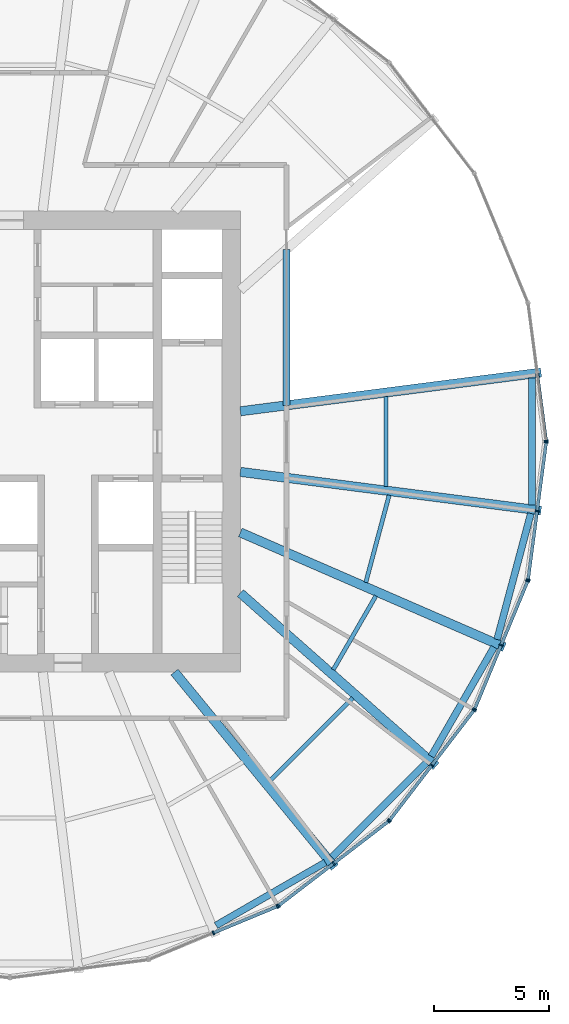
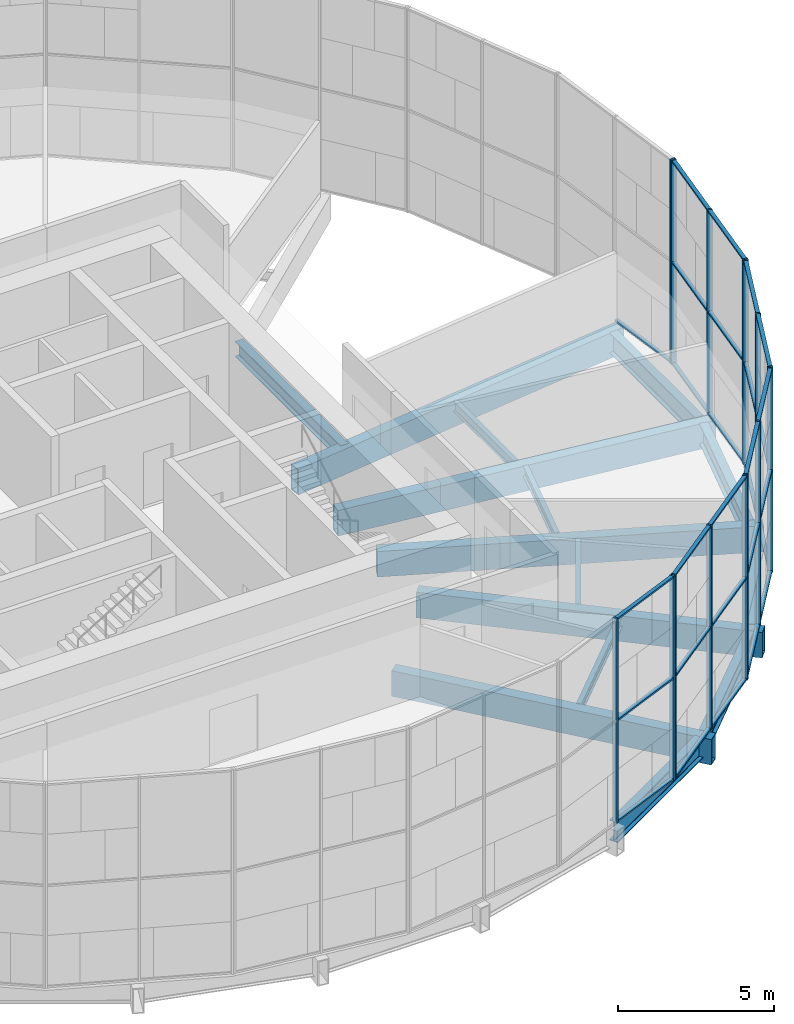
# One storey, part 4 of 18: 43 members, 15 beams, 6 elements without a shape of their own.
"""IFC4 building model written with IfcOpenShell, lengths in metres."""

from ifc_helpers import new_model, si_unit, direction, frame, origin, origin_2d, place, context, subcontext, project, spatial, rectangle, hollow_rectangle, i_section, extrude, material, material_profile, profile_set, type_object, element, aggregate, save


model = new_model("IFC4")

# Units and contexts
model_context = context("Model", 3, precision=1e-05, world=origin(), true_north=direction((0.0, 1.0)))
body_context = subcontext(model_context, "Body", "Model", "MODEL_VIEW")
ifc_project = project(units=[si_unit("LENGTHUNIT", "METRE"), si_unit("AREAUNIT", "SQUARE_METRE"), si_unit("VOLUMEUNIT", "CUBIC_METRE"), si_unit("PLANEANGLEUNIT", "RADIAN"), si_unit("MASSUNIT", "GRAM", prefix="KILO")], contexts=[model_context])

# Site, building, storey
site_placement = place(None, origin())
site = spatial("IfcSite", under=ifc_project, at=site_placement, CompositionType="ELEMENT")
building_placement = place(site_placement, origin())
building = spatial("IfcBuilding", under=site, at=building_placement, Name="Golbaran Civic Tower", CompositionType="ELEMENT")
storey_placement = place(building_placement, frame((0.0, 0.0, 45.0)))
storey = spatial("IfcBuildingStorey", under=building, at=storey_placement, Name="L10", CompositionType="ELEMENT", Elevation=45.0)

# Beams
ifc_material_1 = material(Name="Steel S355", Category="steel")
ifc_material_profile_1 = material_profile(ifc_material_1, i_section(OverallWidth=0.300048828125, OverallDepth=0.800048828125, WebThickness=0.017578125, FlangeThickness=0.032958984375, FilletRadius=0.030029296875, at=origin_2d()), Name="HEB 800")
ifc_profile_set_1 = profile_set([ifc_material_profile_1], Name="Steel S355")
beam_type_1 = type_object("IfcBeamType", Name="EDGE BEAM HEB 800", PredefinedType="BEAM", material=ifc_profile_set_1)
beam_1_placement = place(storey_placement, frame((8.943603515625, -20.993896484375, -0.60009765625), z_axis=(0.866313230191, 0.499501138334, 0.0), x_axis=(-0.499501138334, 0.866313230191, 0.0)))
element("IfcBeam", 1, at=beam_1_placement, inside=storey, type_object=beam_type_1, Name="Edge beam 292.60 L10", PredefinedType="BEAM", context=body_context, shape_type="SweptSolid", body=[
    extrude(i_section(OverallWidth=0.300048828125, OverallDepth=0.800048828125, WebThickness=0.017578125, FlangeThickness=0.032958984375, FilletRadius=0.030029296875, at=origin_2d()), origin(), (0.0, 0.0, 1.0), 5.4755859375),
])
beam_2_placement = place(storey_placement, frame((13.97314453125, -18.03955078125, -0.60009765625), z_axis=(0.706495106586, 0.707717927122, 0.0), x_axis=(-0.707717927122, 0.706495106586, 0.0)))
element("IfcBeam", 2, at=beam_2_placement, inside=storey, type_object=beam_type_1, Name="Edge beam 307.40 L10", PredefinedType="BEAM", context=body_context, shape_type="SweptSolid", body=[
    extrude(i_section(OverallWidth=0.300048828125, OverallDepth=0.800048828125, WebThickness=0.017578125, FlangeThickness=0.032958984375, FilletRadius=0.030029296875, at=origin_2d()), origin(), (0.0, 0.0, 1.0), 5.7900390625),
])
beam_3_placement = place(storey_placement, frame((18.28271484375, -13.655029296875, -0.60009765625), z_axis=(0.498279627298, 0.86701638567, 0.0), x_axis=(-0.86701638567, 0.498279627298, 0.0)))
element("IfcBeam", 3, at=beam_3_placement, inside=storey, type_object=beam_type_1, Name="Edge beam 322.60 L10", PredefinedType="BEAM", context=body_context, shape_type="SweptSolid", body=[
    extrude(i_section(OverallWidth=0.300048828125, OverallDepth=0.800048828125, WebThickness=0.017578125, FlangeThickness=0.032958984375, FilletRadius=0.030029296875, at=origin_2d()), origin(), (0.0, 0.0, 1.0), 5.461669921875),
])
beam_4_placement = place(storey_placement, frame((21.141357421875, -8.586669921875, -0.60009765625), z_axis=(0.258508249079, 0.966009050246, 0.0), x_axis=(-0.966009050246, 0.258508249079, 0.0)))
element("IfcBeam", 4, at=beam_4_placement, inside=storey, type_object=beam_type_1, Name="Edge beam 337.40 L10", PredefinedType="BEAM", context=body_context, shape_type="SweptSolid", body=[
    extrude(i_section(OverallWidth=0.300048828125, OverallDepth=0.800048828125, WebThickness=0.017578125, FlangeThickness=0.032958984375, FilletRadius=0.030029296875, at=origin_2d()), origin(), (0.0, 0.0, 1.0), 5.659912109375),
])
beam_5_placement = place(storey_placement, frame((22.6513671875, -2.76220703125, -0.60009765625), z_axis=(0.0, 1.0, 0.0), x_axis=(-1.0, 0.0, 0.0)))
element("IfcBeam", 5, at=beam_5_placement, inside=storey, type_object=beam_type_1, Name="Edge beam 352.60 L10", PredefinedType="BEAM", context=body_context, shape_type="SweptSolid", body=[
    extrude(i_section(OverallWidth=0.300048828125, OverallDepth=0.800048828125, WebThickness=0.017578125, FlangeThickness=0.032958984375, FilletRadius=0.030029296875, at=origin_2d()), origin(), (0.0, 0.0, 1.0), 5.5244140625),
])
ifc_material_profile_2 = material_profile(ifc_material_1, i_section(OverallWidth=0.179931640625, OverallDepth=0.39990234375, WebThickness=0.008544921875, FlangeThickness=0.013427734375, FilletRadius=0.02099609375, at=origin_2d()), Name="IPE 400")
ifc_profile_set_2 = profile_set([ifc_material_profile_2], Name="Steel S355")
beam_type_2 = type_object("IfcBeamType", Name="FLOOR INFILL BEAM IPE 400", PredefinedType="BEAM", material=ifc_profile_set_2)
beam_6_placement = place(storey_placement, frame((11.264892578125, -14.739501953125, -0.39990234375), z_axis=(0.707130665491, 0.707082896075, 0.0), x_axis=(-0.707082896075, 0.707130665491, 0.0)))
element("IfcBeam", 6, at=beam_6_placement, inside=storey, type_object=beam_type_2, Name="Infill beam 315.00 L10", PredefinedType="BEAM", context=body_context, shape_type="SweptSolid", body=[
    extrude(i_section(OverallWidth=0.179931640625, OverallDepth=0.39990234375, WebThickness=0.008544921875, FlangeThickness=0.013427734375, FilletRadius=0.02099609375, at=origin_2d()), origin(), (0.0, 0.0, 1.0), 5.11083984375),
])
beam_7_placement = place(storey_placement, frame((14.03271484375, -9.89697265625, -0.39990234375), z_axis=(0.500015802937, 0.866016279763, 0.0), x_axis=(-0.866016279763, 0.500015802937, 0.0)))
element("IfcBeam", 7, at=beam_7_placement, inside=storey, type_object=beam_type_2, Name="Infill beam 330.00 L10", PredefinedType="BEAM", context=body_context, shape_type="SweptSolid", body=[
    extrude(i_section(OverallWidth=0.179931640625, OverallDepth=0.39990234375, WebThickness=0.008544921875, FlangeThickness=0.013427734375, FilletRadius=0.02099609375, at=origin_2d()), origin(), (0.0, 0.0, 1.0), 3.6982421875),
])
beam_8_placement = place(storey_placement, frame((15.442138671875, -6.11083984375, -0.39990234375), z_axis=(0.258837851836, 0.965920786844, 0.0), x_axis=(-0.965920786844, 0.258837851836, 0.0)))
element("IfcBeam", 8, at=beam_8_placement, inside=storey, type_object=beam_type_2, Name="Infill beam 345.00 L10", PredefinedType="BEAM", context=body_context, shape_type="SweptSolid", body=[
    extrude(i_section(OverallWidth=0.179931640625, OverallDepth=0.39990234375, WebThickness=0.008544921875, FlangeThickness=0.013427734375, FilletRadius=0.02099609375, at=origin_2d()), origin(), (0.0, 0.0, 1.0), 3.917236328125),
])
beam_9_placement = place(storey_placement, frame((16.32568359375, -1.947509765625, -0.39990234375), z_axis=(0.0, 1.0, 0.0), x_axis=(-1.0, 0.0, 0.0)))
element("IfcBeam", 9, at=beam_9_placement, inside=storey, type_object=beam_type_2, Name="Infill beam 0.00 L10", PredefinedType="BEAM", context=body_context, shape_type="SweptSolid", body=[
    extrude(i_section(OverallWidth=0.179931640625, OverallDepth=0.39990234375, WebThickness=0.008544921875, FlangeThickness=0.013427734375, FilletRadius=0.02099609375, at=origin_2d()), origin(), (0.0, 0.0, 1.0), 3.89501953125),
])
ifc_material_profile_3 = material_profile(ifc_material_1, i_section(OverallWidth=0.300048828125, OverallDepth=0.60009765625, WebThickness=0.015380859375, FlangeThickness=0.030029296875, FilletRadius=0.027099609375, at=origin_2d()), Name="HEB 600")
ifc_profile_set_3 = profile_set([ifc_material_profile_3], Name="Steel S355")
beam_type_3 = type_object("IfcBeamType", Name="GARDEN CHORD TRIMMER HEB 600", PredefinedType="BEAM", material=ifc_profile_set_3)
beam_10_placement = place(storey_placement, frame((12.0, 1.57177734375, -0.5), z_axis=(0.0, 1.0, 0.0), x_axis=(-1.0, 0.0, 0.0)))
element("IfcBeam", 10, at=beam_10_placement, inside=storey, type_object=beam_type_3, Name="Garden void trimmer L10", PredefinedType="BEAM", context=body_context, shape_type="SweptSolid", body=[
    extrude(i_section(OverallWidth=0.300048828125, OverallDepth=0.60009765625, WebThickness=0.015380859375, FlangeThickness=0.030029296875, FilletRadius=0.027099609375, at=origin_2d()), origin(), (0.0, 0.0, 1.0), 6.76806640625),
])

# Curtain wall, member
ifc_material_2 = material(Name="Aluminium and glass", Category="aluminium")
curtain_wall_type = type_object("IfcCurtainWallType", Name="INNER SKIN CURTAIN WALL", PredefinedType="NOTDEFINED", material=ifc_material_2)
curtain_wall_1_placement = place(storey_placement, origin())
curtain_wall_1 = element("IfcCurtainWall", 11, at=curtain_wall_1_placement, inside=storey, type_object=curtain_wall_type, Name="Inner skin L10 facet 1 CW1", ObjectType="INNER SKIN", PredefinedType="USERDEFINED")
ifc_material_3 = material(Name="Aluminium", Category="aluminium")
ifc_material_profile_4 = material_profile(ifc_material_3, rectangle(XDim=0.179931640625, YDim=0.06494140625, at=origin_2d()), Name="INNER SKIN CURTAIN WALL MULLION")
ifc_profile_set_4 = profile_set([ifc_material_profile_4], Name="Aluminium")
member_type_1 = type_object("IfcMemberType", Name="INNER SKIN CURTAIN WALL MULLION", PredefinedType="MULLION", material=ifc_profile_set_4)
member_1_placement = place(storey_placement, frame((23.266845703125, 0.0322265625, 0.0), z_axis=(0.0, 0.0, 1.0), x_axis=(-0.991444861385, -0.130526192134, 0.0)))
member_1 = element("IfcMember", 12, at=member_1_placement, type_object=member_type_1, Name="CW1 mullion 1", PredefinedType="MULLION", context=body_context, shape_type="SweptSolid", body=[
    extrude(rectangle(XDim=0.179931640625, YDim=0.06494140625, at=origin_2d()), origin(), (0.0, 0.0, 1.0), 8.0),
])

# Curtain wall, members
curtain_wall_2_placement = place(storey_placement, origin())
curtain_wall_2 = element("IfcCurtainWall", 13, at=curtain_wall_2_placement, inside=storey, type_object=curtain_wall_type, Name="Inner skin L10 facet 20 CW1", ObjectType="INNER SKIN", PredefinedType="USERDEFINED")
member_2_placement = place(storey_placement, frame((8.829345703125, -21.315673828125, 0.0), z_axis=(0.0, 0.0, 1.0), x_axis=(-0.38268343251, 0.923879532451, 0.0)))
member_2 = element("IfcMember", 14, at=member_2_placement, type_object=member_type_1, Name="CW1 mullion 2", PredefinedType="MULLION", context=body_context, shape_type="SweptSolid", body=[
    extrude(rectangle(XDim=0.179931640625, YDim=0.06494140625, at=origin_2d()), origin(), (0.0, 0.0, 1.0), 8.0),
])
member_3_placement = place(storey_placement, frame((11.60546875, -20.165771484375, 0.0), z_axis=(0.0, 0.0, 1.0), x_axis=(-0.38268343251, 0.923879532451, 0.0)))
member_3 = element("IfcMember", 15, at=member_3_placement, type_object=member_type_1, Name="CW1 mullion 3", PredefinedType="MULLION", context=body_context, shape_type="SweptSolid", body=[
    extrude(rectangle(XDim=0.179931640625, YDim=0.06494140625, at=origin_2d()), origin(), (0.0, 0.0, 1.0), 8.0),
])

curtain_wall_3_placement = place(storey_placement, origin())
curtain_wall_3 = element("IfcCurtainWall", 16, at=curtain_wall_3_placement, inside=storey, type_object=curtain_wall_type, Name="Inner skin L10 facet 21 CW1", ObjectType="INNER SKIN", PredefinedType="USERDEFINED")
member_4_placement = place(storey_placement, frame((11.661376953125, -20.133544921875, 0.0), z_axis=(0.0, 0.0, 1.0), x_axis=(-0.608761428953, 0.793353340334, 0.0)))
member_4 = element("IfcMember", 17, at=member_4_placement, type_object=member_type_1, Name="CW1 mullion 1", PredefinedType="MULLION", context=body_context, shape_type="SweptSolid", body=[
    extrude(rectangle(XDim=0.179931640625, YDim=0.06494140625, at=origin_2d()), origin(), (0.0, 0.0, 1.0), 8.0),
])
member_5_placement = place(storey_placement, frame((14.04541015625, -18.30419921875, 0.0), z_axis=(0.0, 0.0, 1.0), x_axis=(-0.608761428953, 0.793353340334, 0.0)))
member_5 = element("IfcMember", 18, at=member_5_placement, type_object=member_type_1, Name="CW1 mullion 2", PredefinedType="MULLION", context=body_context, shape_type="SweptSolid", body=[
    extrude(rectangle(XDim=0.179931640625, YDim=0.06494140625, at=origin_2d()), origin(), (0.0, 0.0, 1.0), 8.0),
])
member_6_placement = place(storey_placement, frame((16.42919921875, -16.474853515625, 0.0), z_axis=(0.0, 0.0, 1.0), x_axis=(-0.608761428953, 0.793353340334, 0.0)))
member_6 = element("IfcMember", 19, at=member_6_placement, type_object=member_type_1, Name="CW1 mullion 3", PredefinedType="MULLION", context=body_context, shape_type="SweptSolid", body=[
    extrude(rectangle(XDim=0.179931640625, YDim=0.06494140625, at=origin_2d()), origin(), (0.0, 0.0, 1.0), 8.0),
])

curtain_wall_4_placement = place(storey_placement, origin())
curtain_wall_4 = element("IfcCurtainWall", 20, at=curtain_wall_4_placement, inside=storey, type_object=curtain_wall_type, Name="Inner skin L10 facet 22 CW1", ObjectType="INNER SKIN", PredefinedType="USERDEFINED")
member_7_placement = place(storey_placement, frame((16.474853515625, -16.42919921875, 0.0), z_axis=(0.0, 0.0, 1.0), x_axis=(-0.793353340334, 0.608761428953, 0.0)))
member_7 = element("IfcMember", 21, at=member_7_placement, type_object=member_type_1, Name="CW1 mullion 1", PredefinedType="MULLION", context=body_context, shape_type="SweptSolid", body=[
    extrude(rectangle(XDim=0.179931640625, YDim=0.06494140625, at=origin_2d()), origin(), (0.0, 0.0, 1.0), 8.0),
])
member_8_placement = place(storey_placement, frame((18.30419921875, -14.04541015625, 0.0), z_axis=(0.0, 0.0, 1.0), x_axis=(-0.793353340334, 0.608761428953, 0.0)))
member_8 = element("IfcMember", 22, at=member_8_placement, type_object=member_type_1, Name="CW1 mullion 2", PredefinedType="MULLION", context=body_context, shape_type="SweptSolid", body=[
    extrude(rectangle(XDim=0.179931640625, YDim=0.06494140625, at=origin_2d()), origin(), (0.0, 0.0, 1.0), 8.0),
])
member_9_placement = place(storey_placement, frame((20.133544921875, -11.661376953125, 0.0), z_axis=(0.0, 0.0, 1.0), x_axis=(-0.793353340334, 0.608761428953, 0.0)))
member_9 = element("IfcMember", 23, at=member_9_placement, type_object=member_type_1, Name="CW1 mullion 3", PredefinedType="MULLION", context=body_context, shape_type="SweptSolid", body=[
    extrude(rectangle(XDim=0.179931640625, YDim=0.06494140625, at=origin_2d()), origin(), (0.0, 0.0, 1.0), 8.0),
])

curtain_wall_5_placement = place(storey_placement, origin())
curtain_wall_5 = element("IfcCurtainWall", 24, at=curtain_wall_5_placement, inside=storey, type_object=curtain_wall_type, Name="Inner skin L10 facet 23 CW1", ObjectType="INNER SKIN", PredefinedType="USERDEFINED")
member_10_placement = place(storey_placement, frame((20.165771484375, -11.60546875, 0.0), z_axis=(0.0, 0.0, 1.0), x_axis=(-0.923879532451, 0.38268343251, 0.0)))
member_10 = element("IfcMember", 25, at=member_10_placement, type_object=member_type_1, Name="CW1 mullion 1", PredefinedType="MULLION", context=body_context, shape_type="SweptSolid", body=[
    extrude(rectangle(XDim=0.179931640625, YDim=0.06494140625, at=origin_2d()), origin(), (0.0, 0.0, 1.0), 8.0),
])
member_11_placement = place(storey_placement, frame((21.315673828125, -8.829345703125, 0.0), z_axis=(0.0, 0.0, 1.0), x_axis=(-0.923879532451, 0.38268343251, 0.0)))
member_11 = element("IfcMember", 26, at=member_11_placement, type_object=member_type_1, Name="CW1 mullion 2", PredefinedType="MULLION", context=body_context, shape_type="SweptSolid", body=[
    extrude(rectangle(XDim=0.179931640625, YDim=0.06494140625, at=origin_2d()), origin(), (0.0, 0.0, 1.0), 8.0),
])
member_12_placement = place(storey_placement, frame((22.465576171875, -6.052978515625, 0.0), z_axis=(0.0, 0.0, 1.0), x_axis=(-0.923879532451, 0.38268343251, 0.0)))
member_12 = element("IfcMember", 27, at=member_12_placement, type_object=member_type_1, Name="CW1 mullion 3", PredefinedType="MULLION", context=body_context, shape_type="SweptSolid", body=[
    extrude(rectangle(XDim=0.179931640625, YDim=0.06494140625, at=origin_2d()), origin(), (0.0, 0.0, 1.0), 8.0),
])

curtain_wall_6_placement = place(storey_placement, origin())
curtain_wall_6 = element("IfcCurtainWall", 28, at=curtain_wall_6_placement, inside=storey, type_object=curtain_wall_type, Name="Inner skin L10 facet 24 CW1", ObjectType="INNER SKIN", PredefinedType="USERDEFINED")
member_13_placement = place(storey_placement, frame((22.482421875, -5.99072265625, 0.0), z_axis=(0.0, 0.0, 1.0), x_axis=(-0.991444861385, 0.130526192134, 0.0)))
member_13 = element("IfcMember", 29, at=member_13_placement, type_object=member_type_1, Name="CW1 mullion 1", PredefinedType="MULLION", context=body_context, shape_type="SweptSolid", body=[
    extrude(rectangle(XDim=0.179931640625, YDim=0.06494140625, at=origin_2d()), origin(), (0.0, 0.0, 1.0), 8.0),
])
member_14_placement = place(storey_placement, frame((22.87451171875, -3.011474609375, 0.0), z_axis=(0.0, 0.0, 1.0), x_axis=(-0.991444861385, 0.130526192134, 0.0)))
member_14 = element("IfcMember", 30, at=member_14_placement, type_object=member_type_1, Name="CW1 mullion 2", PredefinedType="MULLION", context=body_context, shape_type="SweptSolid", body=[
    extrude(rectangle(XDim=0.179931640625, YDim=0.06494140625, at=origin_2d()), origin(), (0.0, 0.0, 1.0), 8.0),
])
member_15_placement = place(storey_placement, frame((23.266845703125, -0.0322265625, 0.0), z_axis=(0.0, 0.0, 1.0), x_axis=(-0.991444861385, 0.130526192134, 0.0)))
member_15 = element("IfcMember", 31, at=member_15_placement, type_object=member_type_1, Name="CW1 mullion 3", PredefinedType="MULLION", context=body_context, shape_type="SweptSolid", body=[
    extrude(rectangle(XDim=0.179931640625, YDim=0.06494140625, at=origin_2d()), origin(), (0.0, 0.0, 1.0), 8.0),
])

# Member
ifc_material_profile_5 = material_profile(ifc_material_3, rectangle(XDim=0.139892578125, YDim=0.06494140625, at=origin_2d()), Name="INNER SKIN CURTAIN WALL TRANSOM")
ifc_profile_set_5 = profile_set([ifc_material_profile_5], Name="Aluminium")
member_type_2 = type_object("IfcMemberType", Name="INNER SKIN CURTAIN WALL TRANSOM", PredefinedType="USERDEFINED", material=ifc_profile_set_5)
member_16_placement = place(storey_placement, frame((23.262451171875, 0.064453125, 0.032470703125), z_axis=(-0.130542585571, 0.99144270301, 0.0), x_axis=(-0.99144270301, -0.130542585571, 0.0)))
member_16 = element("IfcMember", 32, at=member_16_placement, type_object=member_type_2, Name="CW1 transom 1.1", ObjectType="TRANSOM", PredefinedType="USERDEFINED", context=body_context, shape_type="SweptSolid", body=[
    extrude(rectangle(XDim=0.139892578125, YDim=0.06494140625, at=origin_2d()), origin(), (0.0, 0.0, 1.0), 2.93994140625),
])

aggregate(curtain_wall_1, [member_1, member_16])

member_17_placement = place(storey_placement, frame((8.859375, -21.30322265625, 0.032470703125), z_axis=(0.923883228482, 0.38267450938, 0.0), x_axis=(-0.38267450938, 0.923883228482, 0.0)))
member_17 = element("IfcMember", 33, at=member_17_placement, type_object=member_type_2, Name="CW1 transom 2.1", ObjectType="TRANSOM", PredefinedType="USERDEFINED", context=body_context, shape_type="SweptSolid", body=[
    extrude(rectangle(XDim=0.139892578125, YDim=0.06494140625, at=origin_2d()), origin(), (0.0, 0.0, 1.0), 2.93994140625),
])

member_18_placement = place(storey_placement, frame((8.859375, -21.30322265625, 4.0), z_axis=(0.923883228482, 0.38267450938, 0.0), x_axis=(-0.38267450938, 0.923883228482, 0.0)))
member_18 = element("IfcMember", 34, at=member_18_placement, type_object=member_type_2, Name="CW1 transom 2.2", ObjectType="TRANSOM", PredefinedType="USERDEFINED", context=body_context, shape_type="SweptSolid", body=[
    extrude(rectangle(XDim=0.139892578125, YDim=0.06494140625, at=origin_2d()), origin(), (0.0, 0.0, 1.0), 2.93994140625),
])

member_19_placement = place(storey_placement, frame((8.859375, -21.30322265625, 7.967529296875), z_axis=(0.923883228482, 0.38267450938, 0.0), x_axis=(-0.38267450938, 0.923883228482, 0.0)))
member_19 = element("IfcMember", 35, at=member_19_placement, type_object=member_type_2, Name="CW1 transom 2.3", ObjectType="TRANSOM", PredefinedType="USERDEFINED", context=body_context, shape_type="SweptSolid", body=[
    extrude(rectangle(XDim=0.139892578125, YDim=0.06494140625, at=origin_2d()), origin(), (0.0, 0.0, 1.0), 2.93994140625),
])

aggregate(curtain_wall_2, [member_2, member_3, member_17, member_18, member_19])

member_20_placement = place(storey_placement, frame((11.68701171875, -20.11376953125, 0.032470703125), z_axis=(0.793355026419, 0.608759231597, 0.0), x_axis=(-0.608759231597, 0.793355026419, 0.0)))
member_20 = element("IfcMember", 36, at=member_20_placement, type_object=member_type_2, Name="CW1 transom 1.1", ObjectType="TRANSOM", PredefinedType="USERDEFINED", context=body_context, shape_type="SweptSolid", body=[
    extrude(rectangle(XDim=0.139892578125, YDim=0.06494140625, at=origin_2d()), origin(), (0.0, 0.0, 1.0), 2.940185546875),
])

member_21_placement = place(storey_placement, frame((11.68701171875, -20.11376953125, 4.0), z_axis=(0.793355026419, 0.608759231597, 0.0), x_axis=(-0.608759231597, 0.793355026419, 0.0)))
member_21 = element("IfcMember", 37, at=member_21_placement, type_object=member_type_2, Name="CW1 transom 1.2", ObjectType="TRANSOM", PredefinedType="USERDEFINED", context=body_context, shape_type="SweptSolid", body=[
    extrude(rectangle(XDim=0.139892578125, YDim=0.06494140625, at=origin_2d()), origin(), (0.0, 0.0, 1.0), 2.940185546875),
])

member_22_placement = place(storey_placement, frame((11.68701171875, -20.11376953125, 7.967529296875), z_axis=(0.793355026419, 0.608759231597, 0.0), x_axis=(-0.608759231597, 0.793355026419, 0.0)))
member_22 = element("IfcMember", 38, at=member_22_placement, type_object=member_type_2, Name="CW1 transom 1.3", ObjectType="TRANSOM", PredefinedType="USERDEFINED", context=body_context, shape_type="SweptSolid", body=[
    extrude(rectangle(XDim=0.139892578125, YDim=0.06494140625, at=origin_2d()), origin(), (0.0, 0.0, 1.0), 2.940185546875),
])

member_23_placement = place(storey_placement, frame((14.071044921875, -18.284423828125, 0.032470703125), z_axis=(0.793355026419, 0.608759231597, 0.0), x_axis=(-0.608759231597, 0.793355026419, 0.0)))
member_23 = element("IfcMember", 39, at=member_23_placement, type_object=member_type_2, Name="CW1 transom 2.1", ObjectType="TRANSOM", PredefinedType="USERDEFINED", context=body_context, shape_type="SweptSolid", body=[
    extrude(rectangle(XDim=0.139892578125, YDim=0.06494140625, at=origin_2d()), origin(), (0.0, 0.0, 1.0), 2.940185546875),
])

member_24_placement = place(storey_placement, frame((14.071044921875, -18.284423828125, 4.0), z_axis=(0.793355026419, 0.608759231597, 0.0), x_axis=(-0.608759231597, 0.793355026419, 0.0)))
member_24 = element("IfcMember", 40, at=member_24_placement, type_object=member_type_2, Name="CW1 transom 2.2", ObjectType="TRANSOM", PredefinedType="USERDEFINED", context=body_context, shape_type="SweptSolid", body=[
    extrude(rectangle(XDim=0.139892578125, YDim=0.06494140625, at=origin_2d()), origin(), (0.0, 0.0, 1.0), 2.940185546875),
])

member_25_placement = place(storey_placement, frame((14.071044921875, -18.284423828125, 7.967529296875), z_axis=(0.793355026419, 0.608759231597, 0.0), x_axis=(-0.608759231597, 0.793355026419, 0.0)))
member_25 = element("IfcMember", 41, at=member_25_placement, type_object=member_type_2, Name="CW1 transom 2.3", ObjectType="TRANSOM", PredefinedType="USERDEFINED", context=body_context, shape_type="SweptSolid", body=[
    extrude(rectangle(XDim=0.139892578125, YDim=0.06494140625, at=origin_2d()), origin(), (0.0, 0.0, 1.0), 2.940185546875),
])

aggregate(curtain_wall_3, [member_4, member_5, member_6, member_20, member_21, member_22, member_23, member_24, member_25])

member_26_placement = place(storey_placement, frame((16.49462890625, -16.403564453125, 0.032470703125), z_axis=(0.608759231597, 0.793355026419, 0.0), x_axis=(-0.793355026419, 0.608759231597, 0.0)))
member_26 = element("IfcMember", 42, at=member_26_placement, type_object=member_type_2, Name="CW1 transom 1.1", ObjectType="TRANSOM", PredefinedType="USERDEFINED", context=body_context, shape_type="SweptSolid", body=[
    extrude(rectangle(XDim=0.139892578125, YDim=0.06494140625, at=origin_2d()), origin(), (0.0, 0.0, 1.0), 2.940185546875),
])

member_27_placement = place(storey_placement, frame((16.49462890625, -16.403564453125, 4.0), z_axis=(0.608759231597, 0.793355026419, 0.0), x_axis=(-0.793355026419, 0.608759231597, 0.0)))
member_27 = element("IfcMember", 43, at=member_27_placement, type_object=member_type_2, Name="CW1 transom 1.2", ObjectType="TRANSOM", PredefinedType="USERDEFINED", context=body_context, shape_type="SweptSolid", body=[
    extrude(rectangle(XDim=0.139892578125, YDim=0.06494140625, at=origin_2d()), origin(), (0.0, 0.0, 1.0), 2.940185546875),
])

member_28_placement = place(storey_placement, frame((16.49462890625, -16.403564453125, 7.967529296875), z_axis=(0.608759231597, 0.793355026419, 0.0), x_axis=(-0.793355026419, 0.608759231597, 0.0)))
member_28 = element("IfcMember", 44, at=member_28_placement, type_object=member_type_2, Name="CW1 transom 1.3", ObjectType="TRANSOM", PredefinedType="USERDEFINED", context=body_context, shape_type="SweptSolid", body=[
    extrude(rectangle(XDim=0.139892578125, YDim=0.06494140625, at=origin_2d()), origin(), (0.0, 0.0, 1.0), 2.940185546875),
])

member_29_placement = place(storey_placement, frame((18.323974609375, -14.01953125, 0.032470703125), z_axis=(0.608759231597, 0.793355026419, 0.0), x_axis=(-0.793355026419, 0.608759231597, 0.0)))
member_29 = element("IfcMember", 45, at=member_29_placement, type_object=member_type_2, Name="CW1 transom 2.1", ObjectType="TRANSOM", PredefinedType="USERDEFINED", context=body_context, shape_type="SweptSolid", body=[
    extrude(rectangle(XDim=0.139892578125, YDim=0.06494140625, at=origin_2d()), origin(), (0.0, 0.0, 1.0), 2.940185546875),
])

member_30_placement = place(storey_placement, frame((18.323974609375, -14.01953125, 4.0), z_axis=(0.608759231597, 0.793355026419, 0.0), x_axis=(-0.793355026419, 0.608759231597, 0.0)))
member_30 = element("IfcMember", 46, at=member_30_placement, type_object=member_type_2, Name="CW1 transom 2.2", ObjectType="TRANSOM", PredefinedType="USERDEFINED", context=body_context, shape_type="SweptSolid", body=[
    extrude(rectangle(XDim=0.139892578125, YDim=0.06494140625, at=origin_2d()), origin(), (0.0, 0.0, 1.0), 2.940185546875),
])

member_31_placement = place(storey_placement, frame((18.323974609375, -14.01953125, 7.967529296875), z_axis=(0.608759231597, 0.793355026419, 0.0), x_axis=(-0.793355026419, 0.608759231597, 0.0)))
member_31 = element("IfcMember", 47, at=member_31_placement, type_object=member_type_2, Name="CW1 transom 2.3", ObjectType="TRANSOM", PredefinedType="USERDEFINED", context=body_context, shape_type="SweptSolid", body=[
    extrude(rectangle(XDim=0.139892578125, YDim=0.06494140625, at=origin_2d()), origin(), (0.0, 0.0, 1.0), 2.940185546875),
])

aggregate(curtain_wall_4, [member_7, member_8, member_9, member_26, member_27, member_28, member_29, member_30, member_31])

member_32_placement = place(storey_placement, frame((20.17822265625, -11.575439453125, 0.032470703125), z_axis=(0.38267450938, 0.923883228482, 0.0), x_axis=(-0.923883228482, 0.38267450938, 0.0)))
member_32 = element("IfcMember", 48, at=member_32_placement, type_object=member_type_2, Name="CW1 transom 1.1", ObjectType="TRANSOM", PredefinedType="USERDEFINED", context=body_context, shape_type="SweptSolid", body=[
    extrude(rectangle(XDim=0.139892578125, YDim=0.06494140625, at=origin_2d()), origin(), (0.0, 0.0, 1.0), 2.93994140625),
])

member_33_placement = place(storey_placement, frame((20.17822265625, -11.575439453125, 4.0), z_axis=(0.38267450938, 0.923883228482, 0.0), x_axis=(-0.923883228482, 0.38267450938, 0.0)))
member_33 = element("IfcMember", 49, at=member_33_placement, type_object=member_type_2, Name="CW1 transom 1.2", ObjectType="TRANSOM", PredefinedType="USERDEFINED", context=body_context, shape_type="SweptSolid", body=[
    extrude(rectangle(XDim=0.139892578125, YDim=0.06494140625, at=origin_2d()), origin(), (0.0, 0.0, 1.0), 2.93994140625),
])

member_34_placement = place(storey_placement, frame((20.17822265625, -11.575439453125, 7.967529296875), z_axis=(0.38267450938, 0.923883228482, 0.0), x_axis=(-0.923883228482, 0.38267450938, 0.0)))
member_34 = element("IfcMember", 50, at=member_34_placement, type_object=member_type_2, Name="CW1 transom 1.3", ObjectType="TRANSOM", PredefinedType="USERDEFINED", context=body_context, shape_type="SweptSolid", body=[
    extrude(rectangle(XDim=0.139892578125, YDim=0.06494140625, at=origin_2d()), origin(), (0.0, 0.0, 1.0), 2.93994140625),
])

member_35_placement = place(storey_placement, frame((21.328125, -8.79931640625, 0.032470703125), z_axis=(0.382645150923, 0.923895388275, 0.0), x_axis=(-0.923895388275, 0.382645150923, 0.0)))
member_35 = element("IfcMember", 51, at=member_35_placement, type_object=member_type_2, Name="CW1 transom 2.1", ObjectType="TRANSOM", PredefinedType="USERDEFINED", context=body_context, shape_type="SweptSolid", body=[
    extrude(rectangle(XDim=0.139892578125, YDim=0.06494140625, at=origin_2d()), origin(), (0.0, 0.0, 1.0), 2.93994140625),
])

member_36_placement = place(storey_placement, frame((21.328125, -8.79931640625, 4.0), z_axis=(0.382645150923, 0.923895388275, 0.0), x_axis=(-0.923895388275, 0.382645150923, 0.0)))
member_36 = element("IfcMember", 52, at=member_36_placement, type_object=member_type_2, Name="CW1 transom 2.2", ObjectType="TRANSOM", PredefinedType="USERDEFINED", context=body_context, shape_type="SweptSolid", body=[
    extrude(rectangle(XDim=0.139892578125, YDim=0.06494140625, at=origin_2d()), origin(), (0.0, 0.0, 1.0), 2.93994140625),
])

member_37_placement = place(storey_placement, frame((21.328125, -8.79931640625, 7.967529296875), z_axis=(0.382645150923, 0.923895388275, 0.0), x_axis=(-0.923895388275, 0.382645150923, 0.0)))
member_37 = element("IfcMember", 53, at=member_37_placement, type_object=member_type_2, Name="CW1 transom 2.3", ObjectType="TRANSOM", PredefinedType="USERDEFINED", context=body_context, shape_type="SweptSolid", body=[
    extrude(rectangle(XDim=0.139892578125, YDim=0.06494140625, at=origin_2d()), origin(), (0.0, 0.0, 1.0), 2.93994140625),
])

aggregate(curtain_wall_5, [member_10, member_11, member_12, member_32, member_33, member_34, member_35, member_36, member_37])

member_38_placement = place(storey_placement, frame((22.486572265625, -5.95849609375, 0.032470703125), z_axis=(0.130542585571, 0.99144270301, 0.0), x_axis=(-0.99144270301, 0.130542585571, 0.0)))
member_38 = element("IfcMember", 54, at=member_38_placement, type_object=member_type_2, Name="CW1 transom 1.1", ObjectType="TRANSOM", PredefinedType="USERDEFINED", context=body_context, shape_type="SweptSolid", body=[
    extrude(rectangle(XDim=0.139892578125, YDim=0.06494140625, at=origin_2d()), origin(), (0.0, 0.0, 1.0), 2.93994140625),
])

member_39_placement = place(storey_placement, frame((22.486572265625, -5.95849609375, 4.0), z_axis=(0.130542585571, 0.99144270301, 0.0), x_axis=(-0.99144270301, 0.130542585571, 0.0)))
member_39 = element("IfcMember", 55, at=member_39_placement, type_object=member_type_2, Name="CW1 transom 1.2", ObjectType="TRANSOM", PredefinedType="USERDEFINED", context=body_context, shape_type="SweptSolid", body=[
    extrude(rectangle(XDim=0.139892578125, YDim=0.06494140625, at=origin_2d()), origin(), (0.0, 0.0, 1.0), 2.93994140625),
])

member_40_placement = place(storey_placement, frame((22.486572265625, -5.95849609375, 7.967529296875), z_axis=(0.130542585571, 0.99144270301, 0.0), x_axis=(-0.99144270301, 0.130542585571, 0.0)))
member_40 = element("IfcMember", 56, at=member_40_placement, type_object=member_type_2, Name="CW1 transom 1.3", ObjectType="TRANSOM", PredefinedType="USERDEFINED", context=body_context, shape_type="SweptSolid", body=[
    extrude(rectangle(XDim=0.139892578125, YDim=0.06494140625, at=origin_2d()), origin(), (0.0, 0.0, 1.0), 2.93994140625),
])

member_41_placement = place(storey_placement, frame((22.878662109375, -2.979248046875, 0.032470703125), z_axis=(0.130542585571, 0.99144270301, 0.0), x_axis=(-0.99144270301, 0.130542585571, 0.0)))
member_41 = element("IfcMember", 57, at=member_41_placement, type_object=member_type_2, Name="CW1 transom 2.1", ObjectType="TRANSOM", PredefinedType="USERDEFINED", context=body_context, shape_type="SweptSolid", body=[
    extrude(rectangle(XDim=0.139892578125, YDim=0.06494140625, at=origin_2d()), origin(), (0.0, 0.0, 1.0), 2.93994140625),
])

member_42_placement = place(storey_placement, frame((22.878662109375, -2.979248046875, 4.0), z_axis=(0.130542585571, 0.99144270301, 0.0), x_axis=(-0.99144270301, 0.130542585571, 0.0)))
member_42 = element("IfcMember", 58, at=member_42_placement, type_object=member_type_2, Name="CW1 transom 2.2", ObjectType="TRANSOM", PredefinedType="USERDEFINED", context=body_context, shape_type="SweptSolid", body=[
    extrude(rectangle(XDim=0.139892578125, YDim=0.06494140625, at=origin_2d()), origin(), (0.0, 0.0, 1.0), 2.93994140625),
])

member_43_placement = place(storey_placement, frame((22.878662109375, -2.979248046875, 7.967529296875), z_axis=(0.130542585571, 0.99144270301, 0.0), x_axis=(-0.99144270301, 0.130542585571, 0.0)))
member_43 = element("IfcMember", 59, at=member_43_placement, type_object=member_type_2, Name="CW1 transom 2.3", ObjectType="TRANSOM", PredefinedType="USERDEFINED", context=body_context, shape_type="SweptSolid", body=[
    extrude(rectangle(XDim=0.139892578125, YDim=0.06494140625, at=origin_2d()), origin(), (0.0, 0.0, 1.0), 2.93994140625),
])

aggregate(curtain_wall_6, [member_13, member_14, member_15, member_38, member_39, member_40, member_41, member_42, member_43])

# Beams
ifc_material_profile_6 = material_profile(ifc_material_1, hollow_rectangle(XDim=0.39990234375, YDim=1.0, WallThickness=0.0400390625, at=origin_2d()), Name="BOX 1000x400x40")
ifc_profile_set_6 = profile_set([ifc_material_profile_6], Name="Steel S355")
beam_type_4 = type_object("IfcBeamType", Name="RADIAL FLOOR BEAM BOX 1000x400x40", PredefinedType="BEAM", material=ifc_profile_set_6)
beam_11_placement = place(storey_placement, frame((10.0, 1.314208984375, -0.7099609375), z_axis=(0.991807549385, 0.127741085728, 0.0), x_axis=(-0.127741085728, 0.991807549385, 0.0)))
element("IfcBeam", 60, at=beam_11_placement, inside=storey, type_object=beam_type_4, Name="Radial beam 7.40 L10", PredefinedType="BEAM", context=body_context, shape_type="SweptSolid", body=[
    extrude(hollow_rectangle(XDim=0.39990234375, YDim=1.0, WallThickness=0.0400390625, at=origin_2d()), origin(), (0.0, 0.0, 1.0), 13.15478515625),
])
beam_12_placement = place(storey_placement, frame((7.142822265625, -10.0, -0.7099609375), z_axis=(0.634368120795, -0.77303110372, 0.0), x_axis=(0.77303110372, 0.634368120795, 0.0)))
element("IfcBeam", 61, at=beam_12_placement, inside=storey, type_object=beam_type_4, Name="Radial beam 307.40 L10", PredefinedType="BEAM", context=body_context, shape_type="SweptSolid", body=[
    extrude(hollow_rectangle(XDim=0.39990234375, YDim=1.0, WallThickness=0.0400390625, at=origin_2d()), origin(), (0.0, 0.0, 1.0), 10.96728515625),
])
beam_13_placement = place(storey_placement, frame((10.0, -6.571533203125, -0.7099609375), z_axis=(0.749149421547, -0.662401044833, 0.0), x_axis=(0.662401044833, 0.749149421547, 0.0)))
element("IfcBeam", 62, at=beam_13_placement, inside=storey, type_object=beam_type_4, Name="Radial beam 322.60 L10", PredefinedType="BEAM", context=body_context, shape_type="SweptSolid", body=[
    extrude(hollow_rectangle(XDim=0.39990234375, YDim=1.0, WallThickness=0.0400390625, at=origin_2d()), origin(), (0.0, 0.0, 1.0), 11.339111328125),
])
beam_14_placement = place(storey_placement, frame((10.0, -3.94287109375, -0.7099609375), z_axis=(0.91719023967, -0.398449575549, 0.0), x_axis=(0.398449575549, 0.91719023967, 0.0)))
element("IfcBeam", 63, at=beam_14_placement, inside=storey, type_object=beam_type_4, Name="Radial beam 337.40 L10", PredefinedType="BEAM", context=body_context, shape_type="SweptSolid", body=[
    extrude(hollow_rectangle(XDim=0.39990234375, YDim=1.0, WallThickness=0.0400390625, at=origin_2d()), origin(), (0.0, 0.0, 1.0), 12.494140625),
])
beam_15_placement = place(storey_placement, frame((10.0, -1.314208984375, -0.7099609375), z_axis=(0.991807549385, -0.127741085728, 0.0), x_axis=(0.127741085728, 0.991807549385, 0.0)))
element("IfcBeam", 64, at=beam_15_placement, inside=storey, type_object=beam_type_4, Name="Radial beam 352.60 L10", PredefinedType="BEAM", context=body_context, shape_type="SweptSolid", body=[
    extrude(hollow_rectangle(XDim=0.39990234375, YDim=1.0, WallThickness=0.0400390625, at=origin_2d()), origin(), (0.0, 0.0, 1.0), 13.15478515625),
])

save(model, "model.ifc")
